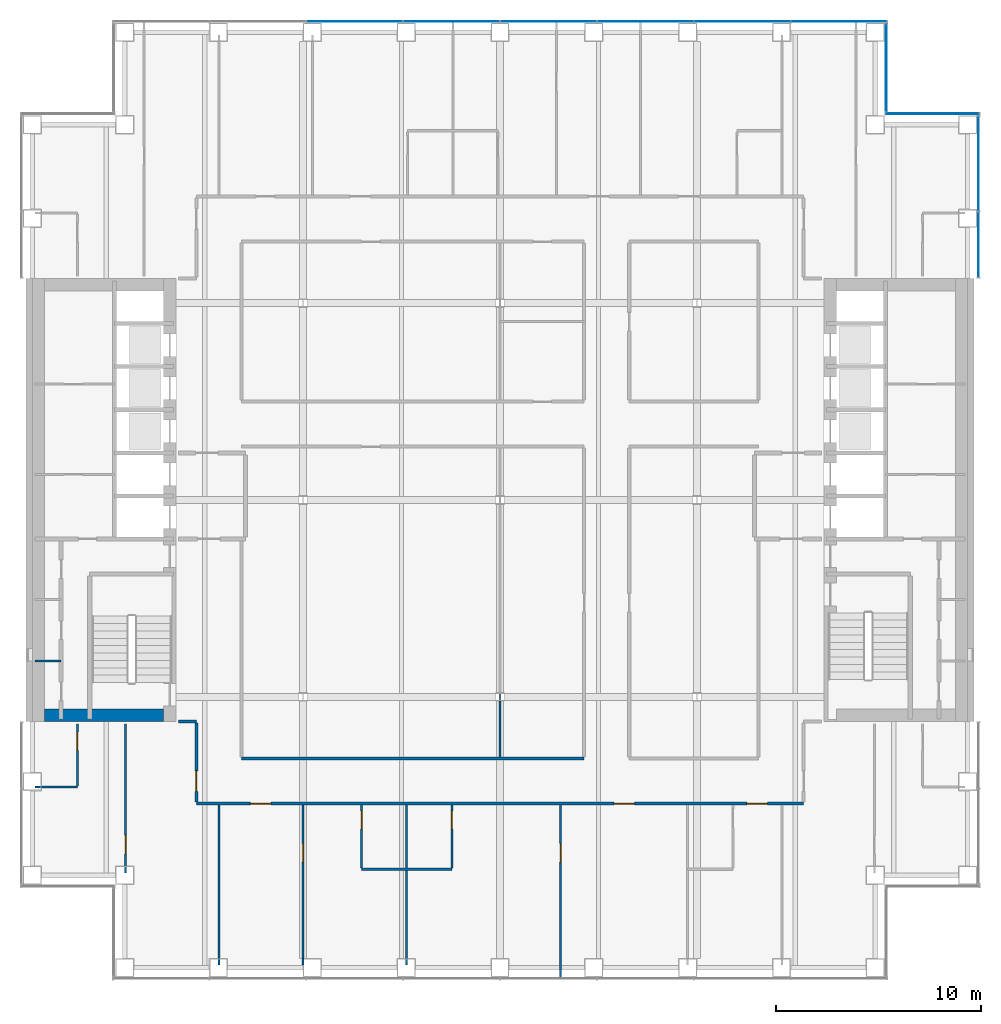
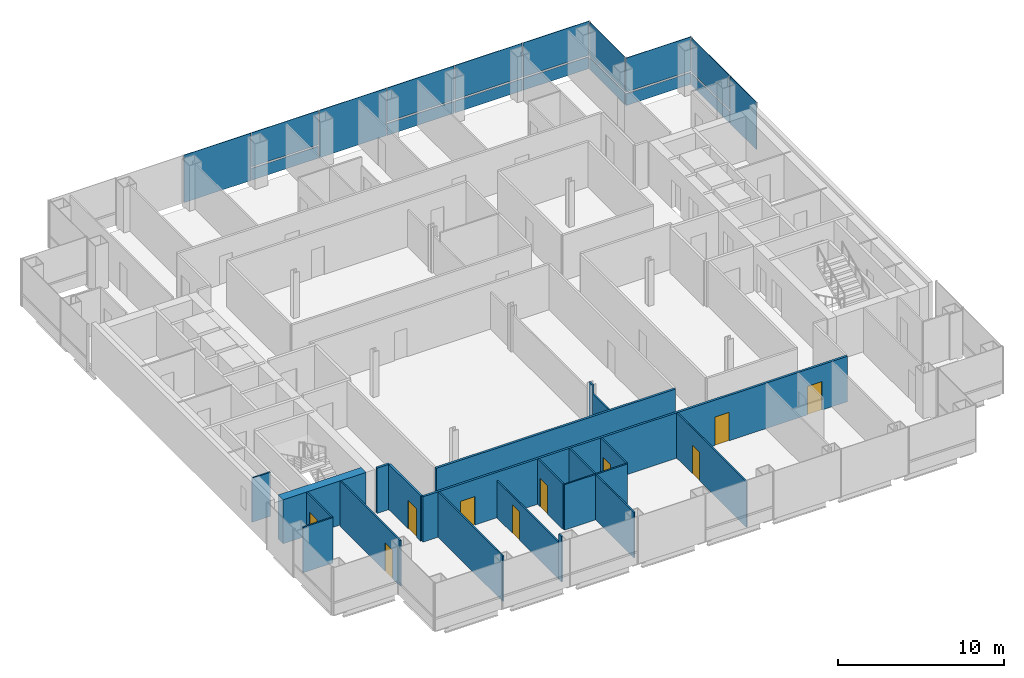
# One storey, part 10 of 16: 20 walls, 17 plates, 10 doors, 10 openings, 4 elements without a shape of their own.
"""IFC4 building model written with IfcOpenShell, lengths in metres."""

from ifc_helpers import new_model, si_unit, direction, frame, frame_2d, origin, origin_2d, place, context, subcontext, project, spatial, rectangle, extrude, material, layer, layer_set, type_object, element, fill, aggregate, save


model = new_model("IFC4")

# Units and contexts
model_context = context("Model", 3, precision=1e-05, world=origin(), true_north=direction((0.0, 1.0)))
body_context = subcontext(model_context, "Body", "Model", "MODEL_VIEW")
ifc_project = project(units=[si_unit("LENGTHUNIT", "METRE"), si_unit("AREAUNIT", "SQUARE_METRE"), si_unit("VOLUMEUNIT", "CUBIC_METRE"), si_unit("PLANEANGLEUNIT", "RADIAN"), si_unit("MASSUNIT", "GRAM", prefix="KILO")], contexts=[model_context])

# Site, building, storey
site_placement = place(None, origin())
site = spatial("IfcSite", under=ifc_project, at=site_placement, CompositionType="ELEMENT")
building_placement = place(site_placement, origin())
building = spatial("IfcBuilding", under=site, at=building_placement, Name="Cobrizo Arcos Hotel Tower", CompositionType="ELEMENT")
storey_placement = place(building_placement, frame((0.0, 0.0, 113.5)))
storey = spatial("IfcBuildingStorey", under=building, at=storey_placement, Name="L28", CompositionType="ELEMENT", Elevation=113.5)

# Curtain wall, plate
ifc_material_1 = material(Name="Aluminium 6063-T6 anodised bronze", Category="aluminium")
curtain_wall_type = type_object("IfcCurtainWallType", Name="CW-A guest facade", PredefinedType="NOTDEFINED", material=ifc_material_1)
curtain_wall_1_placement = place(storey_placement, origin())
curtain_wall_1 = element("IfcCurtainWall", 1, at=curtain_wall_1_placement, inside=storey, type_object=curtain_wall_type, Name="CW-A L28 E face", PredefinedType="NOTDEFINED")
ifc_material_2 = material(Name="Glass clear laminated low-e", Category="glass")
ifc_layer_1 = layer(ifc_material_2, 0.0400390625)
ifc_layer_set_1 = layer_set([ifc_layer_1], Name="CW-A glass panel")
plate_type_1 = type_object("IfcPlateType", Name="CW-A glass panel", PredefinedType="CURTAIN_PANEL", material=ifc_layer_set_1)
plate_1_placement = place(storey_placement, frame((23.324951171875, 16.391357421875, 0.990234375), z_axis=(0.0, 0.0, 1.0), x_axis=(0.0, 1.0, 0.0)))
plate_1 = element("IfcPlate", 2, at=plate_1_placement, type_object=plate_type_1, Name="CW-A glass panel 1088", PredefinedType="CURTAIN_PANEL", context=body_context, shape_type="SweptSolid", body=[
    extrude(rectangle(XDim=4.597412109375, YDim=0.0400390625, at=origin_2d()), origin(), (0.0, 0.0, 1.0), 2.510009765625),
])

curtain_wall_2_placement = place(storey_placement, origin())
curtain_wall_2 = element("IfcCurtainWall", 3, at=curtain_wall_2_placement, inside=storey, type_object=curtain_wall_type, Name="CW-A L28 N face", PredefinedType="NOTDEFINED")
plate_2_placement = place(storey_placement, frame((21.074951171875, 18.824951171875, 0.990234375), z_axis=(0.0, 0.0, 1.0), x_axis=(-1.0, 0.0, 0.0)))
plate_2 = element("IfcPlate", 4, at=plate_2_placement, type_object=plate_type_1, Name="CW-A glass panel 1089", PredefinedType="CURTAIN_PANEL", context=body_context, shape_type="SweptSolid", body=[
    extrude(rectangle(XDim=4.530029296875, YDim=0.0400390625, at=origin_2d()), origin(), (0.0, 0.0, 1.0), 2.510009765625),
])

curtain_wall_3_placement = place(storey_placement, origin())
curtain_wall_3 = element("IfcCurtainWall", 5, at=curtain_wall_3_placement, inside=storey, type_object=curtain_wall_type, Name="CW-A L28 E face", PredefinedType="NOTDEFINED")
plate_3_placement = place(storey_placement, frame((18.824951171875, 21.074951171875, 0.990234375), z_axis=(0.0, 0.0, 1.0), x_axis=(0.0, 1.0, 0.0)))
plate_3 = element("IfcPlate", 6, at=plate_3_placement, type_object=plate_type_1, Name="CW-A glass panel 1090", PredefinedType="CURTAIN_PANEL", context=body_context, shape_type="SweptSolid", body=[
    extrude(rectangle(XDim=4.22998046875, YDim=0.0400390625, at=origin_2d()), origin(), (0.0, 0.0, 1.0), 2.510009765625),
])

# Curtain wall, plates
curtain_wall_4_placement = place(storey_placement, origin())
curtain_wall_4 = element("IfcCurtainWall", 7, at=curtain_wall_4_placement, inside=storey, type_object=curtain_wall_type, Name="CW-A L28 N face", PredefinedType="NOTDEFINED")
plate_4_placement = place(storey_placement, frame((16.5224609375, 23.324951171875, 0.990234375), z_axis=(0.0, 0.0, 1.0), x_axis=(-1.0, 0.0, 0.0)))
plate_4 = element("IfcPlate", 8, at=plate_4_placement, type_object=plate_type_1, Name="CW-A glass panel 1091", PredefinedType="CURTAIN_PANEL", context=body_context, shape_type="SweptSolid", body=[
    extrude(rectangle(XDim=4.635009765625, YDim=0.0400390625, at=origin_2d()), origin(), (0.0, 0.0, 1.0), 2.510009765625),
])
plate_5_placement = place(storey_placement, frame((11.8125, 23.324951171875, 0.990234375), z_axis=(0.0, 0.0, 1.0), x_axis=(-1.0, 0.0, 0.0)))
plate_5 = element("IfcPlate", 9, at=plate_5_placement, type_object=plate_type_1, Name="CW-A glass panel 1092", PredefinedType="CURTAIN_PANEL", context=body_context, shape_type="SweptSolid", body=[
    extrude(rectangle(XDim=4.6650390625, YDim=0.0400390625, at=origin_2d()), origin(), (0.0, 0.0, 1.0), 2.510009765625),
])
plate_6_placement = place(storey_placement, frame((7.08740234375, 23.324951171875, 0.990234375), z_axis=(0.0, 0.0, 1.0), x_axis=(-1.0, 0.0, 0.0)))
plate_6 = element("IfcPlate", 10, at=plate_6_placement, type_object=plate_type_1, Name="CW-A glass panel 1093", PredefinedType="CURTAIN_PANEL", context=body_context, shape_type="SweptSolid", body=[
    extrude(rectangle(XDim=4.6650390625, YDim=0.0400390625, at=origin_2d()), origin(), (0.0, 0.0, 1.0), 2.510009765625),
])
plate_7_placement = place(storey_placement, frame((-2.362548828125, 23.324951171875, 0.990234375), z_axis=(0.0, 0.0, 1.0), x_axis=(-1.0, 0.0, 0.0)))
plate_7 = element("IfcPlate", 11, at=plate_7_placement, type_object=plate_type_1, Name="CW-A glass panel 1095", PredefinedType="CURTAIN_PANEL", context=body_context, shape_type="SweptSolid", body=[
    extrude(rectangle(XDim=4.6650390625, YDim=0.0400390625, at=origin_2d()), origin(), (0.0, 0.0, 1.0), 2.510009765625),
])

# Plate
ifc_material_3 = material(Name="Aluminium composite panel pale metal", Category="aluminium")
ifc_layer_2 = layer(ifc_material_3, 0.0400390625)
ifc_layer_set_2 = layer_set([ifc_layer_2], Name="CW-A spandrel panel")
plate_type_2 = type_object("IfcPlateType", Name="CW-A spandrel panel", PredefinedType="CURTAIN_PANEL", material=ifc_layer_set_2)
plate_8_placement = place(storey_placement, frame((23.324951171875, 12.4462890625, 0.0), z_axis=(0.0, 0.0, 1.0), x_axis=(0.0, 1.0, 0.0)))
plate_8 = element("IfcPlate", 12, at=plate_8_placement, type_object=plate_type_2, Name="CW-A spandrel panel 1087", PredefinedType="CURTAIN_PANEL", context=body_context, shape_type="SweptSolid", body=[
    extrude(rectangle(XDim=3.172607421875, YDim=0.0400390625, at=origin_2d()), origin(), (0.0, 0.0, 1.0), 3.5),
])

plate_9_placement = place(storey_placement, frame((23.324951171875, 16.391357421875, 0.0), z_axis=(0.0, 0.0, 1.0), x_axis=(0.0, 1.0, 0.0)))
plate_9 = element("IfcPlate", 13, at=plate_9_placement, type_object=plate_type_2, Name="CW-A spandrel panel 1088", PredefinedType="CURTAIN_PANEL", context=body_context, shape_type="SweptSolid", body=[
    extrude(rectangle(XDim=4.597412109375, YDim=0.0400390625, at=origin_2d()), origin(), (0.0, 0.0, 1.0), 0.8701171875),
])

aggregate(curtain_wall_1, [plate_8, plate_9, plate_1])

plate_10_placement = place(storey_placement, frame((21.074951171875, 18.824951171875, 0.0), z_axis=(0.0, 0.0, 1.0), x_axis=(-1.0, 0.0, 0.0)))
plate_10 = element("IfcPlate", 14, at=plate_10_placement, type_object=plate_type_2, Name="CW-A spandrel panel 1089", PredefinedType="CURTAIN_PANEL", context=body_context, shape_type="SweptSolid", body=[
    extrude(rectangle(XDim=4.530029296875, YDim=0.0400390625, at=origin_2d()), origin(), (0.0, 0.0, 1.0), 0.8701171875),
])

aggregate(curtain_wall_2, [plate_10, plate_2])

plate_11_placement = place(storey_placement, frame((18.824951171875, 21.074951171875, 0.0), z_axis=(0.0, 0.0, 1.0), x_axis=(0.0, 1.0, 0.0)))
plate_11 = element("IfcPlate", 15, at=plate_11_placement, type_object=plate_type_2, Name="CW-A spandrel panel 1090", PredefinedType="CURTAIN_PANEL", context=body_context, shape_type="SweptSolid", body=[
    extrude(rectangle(XDim=4.22998046875, YDim=0.0400390625, at=origin_2d()), origin(), (0.0, 0.0, 1.0), 0.8701171875),
])

aggregate(curtain_wall_3, [plate_11, plate_3])

plate_12_placement = place(storey_placement, frame((16.5224609375, 23.324951171875, 0.0), z_axis=(0.0, 0.0, 1.0), x_axis=(-1.0, 0.0, 0.0)))
plate_12 = element("IfcPlate", 16, at=plate_12_placement, type_object=plate_type_2, Name="CW-A spandrel panel 1091", PredefinedType="CURTAIN_PANEL", context=body_context, shape_type="SweptSolid", body=[
    extrude(rectangle(XDim=4.635009765625, YDim=0.0400390625, at=origin_2d()), origin(), (0.0, 0.0, 1.0), 0.8701171875),
])

plate_13_placement = place(storey_placement, frame((11.8125, 23.324951171875, 0.0), z_axis=(0.0, 0.0, 1.0), x_axis=(-1.0, 0.0, 0.0)))
plate_13 = element("IfcPlate", 17, at=plate_13_placement, type_object=plate_type_2, Name="CW-A spandrel panel 1092", PredefinedType="CURTAIN_PANEL", context=body_context, shape_type="SweptSolid", body=[
    extrude(rectangle(XDim=4.6650390625, YDim=0.0400390625, at=origin_2d()), origin(), (0.0, 0.0, 1.0), 0.8701171875),
])

plate_14_placement = place(storey_placement, frame((7.08740234375, 23.324951171875, 0.0), z_axis=(0.0, 0.0, 1.0), x_axis=(-1.0, 0.0, 0.0)))
plate_14 = element("IfcPlate", 18, at=plate_14_placement, type_object=plate_type_2, Name="CW-A spandrel panel 1093", PredefinedType="CURTAIN_PANEL", context=body_context, shape_type="SweptSolid", body=[
    extrude(rectangle(XDim=4.6650390625, YDim=0.0400390625, at=origin_2d()), origin(), (0.0, 0.0, 1.0), 0.8701171875),
])

plate_15_placement = place(storey_placement, frame((2.362548828125, 23.324951171875, 0.0), z_axis=(0.0, 0.0, 1.0), x_axis=(-1.0, 0.0, 0.0)))
plate_15 = element("IfcPlate", 19, at=plate_15_placement, type_object=plate_type_2, Name="CW-A spandrel panel 1094", PredefinedType="CURTAIN_PANEL", context=body_context, shape_type="SweptSolid", body=[
    extrude(rectangle(XDim=4.6650390625, YDim=0.0400390625, at=origin_2d()), origin(), (0.0, 0.0, 1.0), 3.5),
])

plate_16_placement = place(storey_placement, frame((-2.362548828125, 23.324951171875, 0.0), z_axis=(0.0, 0.0, 1.0), x_axis=(-1.0, 0.0, 0.0)))
plate_16 = element("IfcPlate", 20, at=plate_16_placement, type_object=plate_type_2, Name="CW-A spandrel panel 1095", PredefinedType="CURTAIN_PANEL", context=body_context, shape_type="SweptSolid", body=[
    extrude(rectangle(XDim=4.6650390625, YDim=0.0400390625, at=origin_2d()), origin(), (0.0, 0.0, 1.0), 0.8701171875),
])

plate_17_placement = place(storey_placement, frame((-7.08740234375, 23.324951171875, 0.0), z_axis=(0.0, 0.0, 1.0), x_axis=(-1.0, 0.0, 0.0)))
plate_17 = element("IfcPlate", 21, at=plate_17_placement, type_object=plate_type_2, Name="CW-A spandrel panel 1096", PredefinedType="CURTAIN_PANEL", context=body_context, shape_type="SweptSolid", body=[
    extrude(rectangle(XDim=4.6650390625, YDim=0.0400390625, at=origin_2d()), origin(), (0.0, 0.0, 1.0), 3.5),
])

aggregate(curtain_wall_4, [plate_12, plate_4, plate_13, plate_5, plate_14, plate_6, plate_15, plate_16, plate_7, plate_17])

# Wall, openings, doors
ifc_material_4 = material(Name="Gypsum board partition")
ifc_layer_3 = layer(ifc_material_4, 0.14990234375)
ifc_layer_set_3 = layer_set([ifc_layer_3], Name="Corridor wall EI 60 150")
wall_type_1 = type_object("IfcWallType", Name="Corridor wall EI 60 150", PredefinedType="PARTITIONING", material=ifc_layer_set_3)
wall_1_placement = place(storey_placement, frame((-14.800048828125, -14.800048828125, 0.0), z_axis=(0.0, 0.0, 1.0), x_axis=(1.0, 0.0, 0.0)))
wall_1 = element("IfcWall", 22, at=wall_1_placement, inside=storey, type_object=wall_type_1, Name="Partition 003", PredefinedType="PARTITIONING", context=body_context, shape_type="SweptSolid", body=[
    extrude(rectangle(XDim=29.60009765625, YDim=0.14990234375, at=frame_2d((14.800048828125, 0.0))), origin(), (0.0, 0.0, 1.0), 3.35009765625),
])
opening_1_placement = place(wall_1_placement, frame((2.634033203125, 0.0, 0.0)))
opening_1 = element("IfcOpeningElement", 23, at=opening_1_placement, cuts=wall_1, Name="Opening GD-04", PredefinedType="OPENING", context=body_context, shape_type="SweptSolid", body=[
    extrude(rectangle(XDim=1.0, YDim=2.10009765625, at=frame_2d((0.5, 1.050048828125))), frame((0.0, 0.0869140625, 0.0), z_axis=(0.0, -1.0, 0.0), x_axis=(1.0, 0.0, 0.0)), (0.0, 0.0, 1.0), 0.173828125),
])
opening_2_placement = place(wall_1_placement, frame((20.362060546875, 0.0, 0.0)))
opening_2 = element("IfcOpeningElement", 24, at=opening_2_placement, cuts=wall_1, Name="Opening GD-05", PredefinedType="OPENING", context=body_context, shape_type="SweptSolid", body=[
    extrude(rectangle(XDim=1.0, YDim=2.10009765625, at=frame_2d((0.5, 1.050048828125))), frame((0.0, 0.0869140625, 0.0), z_axis=(0.0, -1.0, 0.0), x_axis=(1.0, 0.0, 0.0)), (0.0, 0.0, 1.0), 0.173828125),
])
opening_3_placement = place(wall_1_placement, frame((26.8369140625, 0.0, 0.0)))
opening_3 = element("IfcOpeningElement", 25, at=opening_3_placement, cuts=wall_1, Name="Opening GD-06", PredefinedType="OPENING", context=body_context, shape_type="SweptSolid", body=[
    extrude(rectangle(XDim=1.0, YDim=2.10009765625, at=frame_2d((0.5, 1.050048828125))), frame((0.0, 0.0869140625, 0.0), z_axis=(0.0, -1.0, 0.0), x_axis=(1.0, 0.0, 0.0)), (0.0, 0.0, 1.0), 0.173828125),
])
ifc_material_5 = material(Name="Timber door leaf", Category="wood")
door_type_1 = type_object("IfcDoorType", Name="Guest room door FD30S 1000x2100", OperationType="SINGLE_SWING_LEFT", PredefinedType="DOOR", material=ifc_material_5)
door_1_placement = place(opening_1_placement, origin())
door_1 = element("IfcDoor", 26, at=door_1_placement, inside=storey, type_object=door_type_1, Name="Door GD-04", OperationType="SINGLE_SWING_RIGHT", OverallHeight=2.10009765625, OverallWidth=1.0, PredefinedType="DOOR", context=body_context, shape_type="SweptSolid", body=[
    extrude(rectangle(XDim=1.0, YDim=2.10009765625, at=frame_2d((0.5, 1.050048828125))), frame((0.0, 0.02490234375, 0.0), z_axis=(0.0, -1.0, 0.0), x_axis=(1.0, 0.0, 0.0)), (0.0, 0.0, 1.0), 0.050048828125),
])
fill(opening_1, door_1)
door_2_placement = place(opening_2_placement, origin())
door_2 = element("IfcDoor", 27, at=door_2_placement, inside=storey, type_object=door_type_1, Name="Door GD-05", OperationType="SINGLE_SWING_LEFT", OverallHeight=2.10009765625, OverallWidth=1.0, PredefinedType="DOOR", context=body_context, shape_type="SweptSolid", body=[
    extrude(rectangle(XDim=1.0, YDim=2.10009765625, at=frame_2d((0.5, 1.050048828125))), frame((0.0, 0.02490234375, 0.0), z_axis=(0.0, -1.0, 0.0), x_axis=(1.0, 0.0, 0.0)), (0.0, 0.0, 1.0), 0.050048828125),
])
fill(opening_2, door_2)
door_3_placement = place(opening_3_placement, origin())
door_3 = element("IfcDoor", 28, at=door_3_placement, inside=storey, type_object=door_type_1, Name="Door GD-06", OperationType="SINGLE_SWING_LEFT", OverallHeight=2.10009765625, OverallWidth=1.0, PredefinedType="DOOR", context=body_context, shape_type="SweptSolid", body=[
    extrude(rectangle(XDim=1.0, YDim=2.10009765625, at=frame_2d((0.5, 1.050048828125))), frame((0.0, 0.02490234375, 0.0), z_axis=(0.0, -1.0, 0.0), x_axis=(1.0, 0.0, 0.0)), (0.0, 0.0, 1.0), 0.050048828125),
])
fill(opening_3, door_3)

# Walls
wall_2_placement = place(storey_placement, frame((-12.60009765625, -12.60009765625, 0.0), z_axis=(0.0, 0.0, 1.0), x_axis=(1.0, 0.0, 0.0)))
element("IfcWall", 29, at=wall_2_placement, inside=storey, type_object=wall_type_1, Name="Partition 006", PredefinedType="PARTITIONING", context=body_context, shape_type="SweptSolid", body=[
    extrude(rectangle(XDim=16.7001953125, YDim=0.14990234375, at=frame_2d((8.35009765625, 0.0))), origin(), (0.0, 0.0, 1.0), 3.35009765625),
])
wall_3_placement = place(storey_placement, frame((-15.679931640625, -10.800048828125, 0.0), z_axis=(0.0, 0.0, 1.0), x_axis=(1.0, 0.0, 0.0)))
element("IfcWall", 30, at=wall_3_placement, inside=storey, type_object=wall_type_1, Name="Partition 008", PredefinedType="PARTITIONING", context=body_context, shape_type="SweptSolid", body=[
    extrude(rectangle(XDim=0.8798828125, YDim=0.14990234375, at=frame_2d((0.43994140625, 0.0))), origin(), (0.0, 0.0, 1.0), 3.35009765625),
])

# Wall, opening, door
wall_4_placement = place(storey_placement, frame((-14.800048828125, -14.72509765625, 0.0), z_axis=(0.0, 0.0, 1.0), x_axis=(0.0, 1.0, 0.0)))
wall_4 = element("IfcWall", 31, at=wall_4_placement, inside=storey, type_object=wall_type_1, Name="Partition 057", PredefinedType="PARTITIONING", context=body_context, shape_type="SweptSolid", body=[
    extrude(rectangle(XDim=3.85009765625, YDim=0.14990234375, at=frame_2d((1.925048828125, 0.0))), origin(), (0.0, 0.0, 1.0), 3.35009765625),
])
opening_4_placement = place(wall_4_placement, frame((0.52490234375, 0.0, 0.0)))
opening_4 = element("IfcOpeningElement", 32, at=opening_4_placement, cuts=wall_4, Name="Opening GD-07", PredefinedType="OPENING", context=body_context, shape_type="SweptSolid", body=[
    extrude(rectangle(XDim=1.0, YDim=2.10009765625, at=frame_2d((0.5, 1.050048828125))), frame((0.0, 0.0869140625, 0.0), z_axis=(0.0, -1.0, 0.0), x_axis=(1.0, 0.0, 0.0)), (0.0, 0.0, 1.0), 0.173828125),
])
door_4_placement = place(opening_4_placement, origin())
door_4 = element("IfcDoor", 33, at=door_4_placement, inside=storey, type_object=door_type_1, Name="Door GD-07", OperationType="SINGLE_SWING_RIGHT", OverallHeight=2.10009765625, OverallWidth=1.0, PredefinedType="DOOR", context=body_context, shape_type="SweptSolid", body=[
    extrude(rectangle(XDim=1.0, YDim=2.10009765625, at=frame_2d((0.5, 1.050048828125))), frame((0.0, 0.02490234375, 0.0), z_axis=(0.0, -1.0, 0.0), x_axis=(1.0, 0.0, 0.0)), (0.0, 0.0, 1.0), 0.050048828125),
])
fill(opening_4, door_4)

# Walls
ifc_layer_4 = layer(ifc_material_4, 0.10009765625)
ifc_layer_set_4 = layer_set([ifc_layer_4], Name="Partition EI 30 100")
wall_type_2 = type_object("IfcWallType", Name="Partition EI 30 100", PredefinedType="PARTITIONING", material=ifc_layer_set_4)
wall_5_placement = place(storey_placement, frame((-6.75, -18.0, 0.0), z_axis=(0.0, 0.0, 1.0), x_axis=(1.0, 0.0, 0.0)))
element("IfcWall", 34, at=wall_5_placement, inside=storey, type_object=wall_type_2, Name="Partition 001", PredefinedType="PARTITIONING", context=body_context, shape_type="SweptSolid", body=[
    extrude(rectangle(XDim=4.39990234375, YDim=0.10009765625, at=frame_2d((2.199951171875, 0.0))), origin(), (0.0, 0.0, 1.0), 3.35009765625),
])
wall_6_placement = place(storey_placement, frame((-22.679931640625, -14.0, 0.0), z_axis=(0.0, 0.0, 1.0), x_axis=(1.0, 0.0, 0.0)))
element("IfcWall", 35, at=wall_6_placement, inside=storey, type_object=wall_type_2, Name="Partition 004", PredefinedType="PARTITIONING", context=body_context, shape_type="SweptSolid", body=[
    extrude(rectangle(XDim=2.079833984375, YDim=0.10009765625, at=frame_2d((1.0400390625, 0.0))), origin(), (0.0, 0.0, 1.0), 3.35009765625),
])
wall_7_placement = place(storey_placement, frame((-22.679931640625, -7.85009765625, 0.0), z_axis=(0.0, 0.0, 1.0), x_axis=(1.0, 0.0, 0.0)))
element("IfcWall", 36, at=wall_7_placement, inside=storey, type_object=wall_type_2, Name="Partition 010", PredefinedType="PARTITIONING", context=body_context, shape_type="SweptSolid", body=[
    extrude(rectangle(XDim=1.280029296875, YDim=0.10009765625, at=frame_2d((0.64013671875, 0.0))), origin(), (0.0, 0.0, 1.0), 3.25),
])

# Wall, opening, door
wall_8_placement = place(storey_placement, frame((-20.60009765625, -13.949951171875, 0.0), z_axis=(0.0, 0.0, 1.0), x_axis=(0.0, 1.0, 0.0)))
wall_8 = element("IfcWall", 37, at=wall_8_placement, inside=storey, type_object=wall_type_2, Name="Partition 051", PredefinedType="PARTITIONING", context=body_context, shape_type="SweptSolid", body=[
    extrude(rectangle(XDim=3.030029296875, YDim=0.10009765625, at=frame_2d((1.51513671875, 0.0))), origin(), (0.0, 0.0, 1.0), 3.35009765625),
])
opening_5_placement = place(wall_8_placement, frame((1.739990234375, 0.0, 0.0)))
opening_5 = element("IfcOpeningElement", 38, at=opening_5_placement, cuts=wall_8, Name="Opening ED-09", PredefinedType="OPENING", context=body_context, shape_type="SweptSolid", body=[
    extrude(rectangle(XDim=0.89990234375, YDim=2.10009765625, at=frame_2d((0.449951171875, 1.050048828125))), frame((0.0, 0.06201171875, 0.0), z_axis=(0.0, -1.0, 0.0), x_axis=(1.0, 0.0, 0.0)), (0.0, 0.0, 1.0), 0.1240234375),
])
door_type_2 = type_object("IfcDoorType", Name="En-suite door 900x2100", OperationType="SINGLE_SWING_LEFT", PredefinedType="DOOR", material=ifc_material_5)
door_5_placement = place(opening_5_placement, origin())
door_5 = element("IfcDoor", 39, at=door_5_placement, inside=storey, type_object=door_type_2, Name="Door ED-09", OperationType="SINGLE_SWING_RIGHT", OverallHeight=2.10009765625, OverallWidth=0.89990234375, PredefinedType="DOOR", context=body_context, shape_type="SweptSolid", body=[
    extrude(rectangle(XDim=0.89990234375, YDim=2.10009765625, at=frame_2d((0.449951171875, 1.050048828125))), frame((0.0, 0.02490234375, 0.0), z_axis=(0.0, -1.0, 0.0), x_axis=(1.0, 0.0, 0.0)), (0.0, 0.0, 1.0), 0.050048828125),
])
fill(opening_5, door_5)

wall_9_placement = place(storey_placement, frame((-18.25, -18.19091796875, 0.0), z_axis=(0.0, 0.0, 1.0), x_axis=(0.0, 1.0, 0.0)))
wall_9 = element("IfcWall", 40, at=wall_9_placement, inside=storey, type_object=wall_type_2, Name="Partition 055", PredefinedType="PARTITIONING", context=body_context, shape_type="SweptSolid", body=[
    extrude(rectangle(XDim=7.27099609375, YDim=0.10009765625, at=frame_2d((3.635498046875, 0.0))), origin(), (0.0, 0.0, 1.0), 3.35009765625),
])
opening_6_placement = place(wall_9_placement, frame((0.94091796875, 0.0, 0.0)))
opening_6 = element("IfcOpeningElement", 41, at=opening_6_placement, cuts=wall_9, Name="Opening RD-15", PredefinedType="OPENING", context=body_context, shape_type="SweptSolid", body=[
    extrude(rectangle(XDim=0.89990234375, YDim=2.10009765625, at=frame_2d((0.449951171875, 1.050048828125))), frame((0.0, 0.06201171875, 0.0), z_axis=(0.0, -1.0, 0.0), x_axis=(1.0, 0.0, 0.0)), (0.0, 0.0, 1.0), 0.1240234375),
])
door_type_3 = type_object("IfcDoorType", Name="Room door FD30 900x2100", OperationType="SINGLE_SWING_LEFT", PredefinedType="DOOR", material=ifc_material_5)
door_6_placement = place(opening_6_placement, origin())
door_6 = element("IfcDoor", 42, at=door_6_placement, inside=storey, type_object=door_type_3, Name="Door RD-15", OperationType="SINGLE_SWING_RIGHT", OverallHeight=2.10009765625, OverallWidth=0.89990234375, PredefinedType="DOOR", context=body_context, shape_type="SweptSolid", body=[
    extrude(rectangle(XDim=0.89990234375, YDim=2.10009765625, at=frame_2d((0.449951171875, 1.050048828125))), frame((0.0, 0.02490234375, 0.0), z_axis=(0.0, -1.0, 0.0), x_axis=(1.0, 0.0, 0.0)), (0.0, 0.0, 1.0), 0.050048828125),
])
fill(opening_6, door_6)

# Walls
wall_10_placement = place(storey_placement, frame((-13.699951171875, -22.679931640625, 0.0), z_axis=(0.0, 0.0, 1.0), x_axis=(0.0, 1.0, 0.0)))
element("IfcWall", 43, at=wall_10_placement, inside=storey, type_object=wall_type_2, Name="Partition 059", PredefinedType="PARTITIONING", context=body_context, shape_type="SweptSolid", body=[
    extrude(rectangle(XDim=7.804931640625, YDim=0.10009765625, at=frame_2d((3.90234375, 0.0))), origin(), (0.0, 0.0, 1.0), 3.35009765625),
])
wall_11_placement = place(storey_placement, frame((-9.60009765625, -22.679931640625, 0.0), z_axis=(0.0, 0.0, 1.0), x_axis=(0.0, 1.0, 0.0)))
element("IfcWall", 44, at=wall_11_placement, inside=storey, type_object=wall_type_2, Name="Partition 064", PredefinedType="PARTITIONING", context=body_context, shape_type="SweptSolid", body=[
    extrude(rectangle(XDim=0.329833984375, YDim=0.10009765625, at=frame_2d((0.1650390625, 0.0))), origin(), (0.0, 0.0, 1.0), 3.35009765625),
])

# Wall, opening, door
wall_12_placement = place(storey_placement, frame((-9.60009765625, -22.35009765625, 0.0), z_axis=(0.0, 0.0, 1.0), x_axis=(0.0, 1.0, 0.0)))
wall_12 = element("IfcWall", 45, at=wall_12_placement, inside=storey, type_object=wall_type_2, Name="Partition 065", PredefinedType="PARTITIONING", context=body_context, shape_type="SweptSolid", body=[
    extrude(rectangle(XDim=7.47509765625, YDim=0.10009765625, at=frame_2d((3.737548828125, 0.0))), origin(), (0.0, 0.0, 1.0), 2.72802734375),
])
opening_7_placement = place(wall_12_placement, frame((4.699951171875, 0.0, 0.0)))
opening_7 = element("IfcOpeningElement", 46, at=opening_7_placement, cuts=wall_12, Name="Opening RD-13", PredefinedType="OPENING", context=body_context, shape_type="SweptSolid", body=[
    extrude(rectangle(XDim=0.89990234375, YDim=2.10009765625, at=frame_2d((0.449951171875, 1.050048828125))), frame((0.0, 0.06201171875, 0.0), z_axis=(0.0, -1.0, 0.0), x_axis=(1.0, 0.0, 0.0)), (0.0, 0.0, 1.0), 0.1240234375),
])
door_7_placement = place(opening_7_placement, origin())
door_7 = element("IfcDoor", 47, at=door_7_placement, inside=storey, type_object=door_type_3, Name="Door RD-13", OperationType="SINGLE_SWING_RIGHT", OverallHeight=2.10009765625, OverallWidth=0.89990234375, PredefinedType="DOOR", context=body_context, shape_type="SweptSolid", body=[
    extrude(rectangle(XDim=0.89990234375, YDim=2.10009765625, at=frame_2d((0.449951171875, 1.050048828125))), frame((0.0, 0.02490234375, 0.0), z_axis=(0.0, -1.0, 0.0), x_axis=(1.0, 0.0, 0.0)), (0.0, 0.0, 1.0), 0.050048828125),
])
fill(opening_7, door_7)

wall_13_placement = place(storey_placement, frame((-6.75, -17.949951171875, 0.0), z_axis=(0.0, 0.0, 1.0), x_axis=(0.0, 1.0, 0.0)))
wall_13 = element("IfcWall", 48, at=wall_13_placement, inside=storey, type_object=wall_type_2, Name="Partition 067", PredefinedType="PARTITIONING", context=body_context, shape_type="SweptSolid", body=[
    extrude(rectangle(XDim=3.074951171875, YDim=0.10009765625, at=frame_2d((1.53759765625, 0.0))), origin(), (0.0, 0.0, 1.0), 3.35009765625),
])
opening_8_placement = place(wall_13_placement, frame((1.89990234375, 0.0, 0.0)))
opening_8 = element("IfcOpeningElement", 49, at=opening_8_placement, cuts=wall_13, Name="Opening ED-06", PredefinedType="OPENING", context=body_context, shape_type="SweptSolid", body=[
    extrude(rectangle(XDim=0.89990234375, YDim=2.10009765625, at=frame_2d((0.449951171875, 1.050048828125))), frame((0.0, 0.06201171875, 0.0), z_axis=(0.0, -1.0, 0.0), x_axis=(1.0, 0.0, 0.0)), (0.0, 0.0, 1.0), 0.1240234375),
])
door_8_placement = place(opening_8_placement, origin())
door_8 = element("IfcDoor", 50, at=door_8_placement, inside=storey, type_object=door_type_2, Name="Door ED-06", OperationType="SINGLE_SWING_RIGHT", OverallHeight=2.10009765625, OverallWidth=0.89990234375, PredefinedType="DOOR", context=body_context, shape_type="SweptSolid", body=[
    extrude(rectangle(XDim=0.89990234375, YDim=2.10009765625, at=frame_2d((0.449951171875, 1.050048828125))), frame((0.0, 0.02490234375, 0.0), z_axis=(0.0, -1.0, 0.0), x_axis=(1.0, 0.0, 0.0)), (0.0, 0.0, 1.0), 0.050048828125),
])
fill(opening_8, door_8)

# Walls
wall_14_placement = place(storey_placement, frame((-4.550048828125, -22.679931640625, 0.0), z_axis=(0.0, 0.0, 1.0), x_axis=(0.0, 1.0, 0.0)))
element("IfcWall", 51, at=wall_14_placement, inside=storey, type_object=wall_type_2, Name="Partition 068", PredefinedType="PARTITIONING", context=body_context, shape_type="SweptSolid", body=[
    extrude(rectangle(XDim=4.6298828125, YDim=0.10009765625, at=frame_2d((2.31494140625, 0.0))), origin(), (0.0, 0.0, 1.0), 3.35009765625),
])
wall_15_placement = place(storey_placement, frame((-4.550048828125, -17.949951171875, 0.0), z_axis=(0.0, 0.0, 1.0), x_axis=(0.0, 1.0, 0.0)))
element("IfcWall", 52, at=wall_15_placement, inside=storey, type_object=wall_type_2, Name="Partition 069", PredefinedType="PARTITIONING", context=body_context, shape_type="SweptSolid", body=[
    extrude(rectangle(XDim=3.074951171875, YDim=0.10009765625, at=frame_2d((1.53759765625, 0.0))), origin(), (0.0, 0.0, 1.0), 3.35009765625),
])

# Wall, opening, door
wall_16_placement = place(storey_placement, frame((-2.35009765625, -17.949951171875, 0.0), z_axis=(0.0, 0.0, 1.0), x_axis=(0.0, 1.0, 0.0)))
wall_16 = element("IfcWall", 53, at=wall_16_placement, inside=storey, type_object=wall_type_2, Name="Partition 071", PredefinedType="PARTITIONING", context=body_context, shape_type="SweptSolid", body=[
    extrude(rectangle(XDim=3.074951171875, YDim=0.10009765625, at=frame_2d((1.53759765625, 0.0))), origin(), (0.0, 0.0, 1.0), 3.35009765625),
])
opening_9_placement = place(wall_16_placement, frame((1.89990234375, 0.0, 0.0)))
opening_9 = element("IfcOpeningElement", 54, at=opening_9_placement, cuts=wall_16, Name="Opening ED-07", PredefinedType="OPENING", context=body_context, shape_type="SweptSolid", body=[
    extrude(rectangle(XDim=0.89990234375, YDim=2.10009765625, at=frame_2d((0.449951171875, 1.050048828125))), frame((0.0, 0.06201171875, 0.0), z_axis=(0.0, -1.0, 0.0), x_axis=(1.0, 0.0, 0.0)), (0.0, 0.0, 1.0), 0.1240234375),
])
door_9_placement = place(opening_9_placement, origin())
door_9 = element("IfcDoor", 55, at=door_9_placement, inside=storey, type_object=door_type_2, Name="Door ED-07", OperationType="SINGLE_SWING_RIGHT", OverallHeight=2.10009765625, OverallWidth=0.89990234375, PredefinedType="DOOR", context=body_context, shape_type="SweptSolid", body=[
    extrude(rectangle(XDim=0.89990234375, YDim=2.10009765625, at=frame_2d((0.449951171875, 1.050048828125))), frame((0.0, 0.02490234375, 0.0), z_axis=(0.0, -1.0, 0.0), x_axis=(1.0, 0.0, 0.0)), (0.0, 0.0, 1.0), 0.050048828125),
])
fill(opening_9, door_9)

# Walls
wall_17_placement = place(storey_placement, frame((0.0, -12.52490234375, 0.0), z_axis=(0.0, 0.0, 1.0), x_axis=(0.0, 1.0, 0.0)))
element("IfcWall", 56, at=wall_17_placement, inside=storey, type_object=wall_type_2, Name="Partition 075", PredefinedType="PARTITIONING", context=body_context, shape_type="SweptSolid", body=[
    extrude(rectangle(XDim=2.725830078125, YDim=0.10009765625, at=frame_2d((1.36279296875, 0.0))), origin(), (0.0, 0.0, 1.0), 2.72802734375),
])
wall_18_placement = place(storey_placement, frame((0.0, -9.799072265625, 0.0), z_axis=(0.0, 0.0, 1.0), x_axis=(0.0, 1.0, 0.0)))
element("IfcWall", 57, at=wall_18_placement, inside=storey, type_object=wall_type_2, Name="Partition 076", PredefinedType="PARTITIONING", context=body_context, shape_type="SweptSolid", body=[
    extrude(rectangle(XDim=0.398193359375, YDim=0.10009765625, at=frame_2d((0.19921875, 0.0))), origin(), (0.0, 0.0, 1.0), 3.35009765625),
])

# Wall, opening, door
wall_19_placement = place(storey_placement, frame((2.949951171875, -23.280029296875, 0.0), z_axis=(0.0, 0.0, 1.0), x_axis=(0.0, 1.0, 0.0)))
wall_19 = element("IfcWall", 58, at=wall_19_placement, inside=storey, type_object=wall_type_2, Name="Partition 084", PredefinedType="PARTITIONING", context=body_context, shape_type="SweptSolid", body=[
    extrude(rectangle(XDim=8.405029296875, YDim=0.10009765625, at=frame_2d((4.20263671875, 0.0))), origin(), (0.0, 0.0, 1.0), 3.35009765625),
])
opening_10_placement = place(wall_19_placement, frame((5.6298828125, 0.0, 0.0)))
opening_10 = element("IfcOpeningElement", 59, at=opening_10_placement, cuts=wall_19, Name="Opening RD-14", PredefinedType="OPENING", context=body_context, shape_type="SweptSolid", body=[
    extrude(rectangle(XDim=0.89990234375, YDim=2.10009765625, at=frame_2d((0.449951171875, 1.050048828125))), frame((0.0, 0.06201171875, 0.0), z_axis=(0.0, -1.0, 0.0), x_axis=(1.0, 0.0, 0.0)), (0.0, 0.0, 1.0), 0.1240234375),
])
door_10_placement = place(opening_10_placement, origin())
door_10 = element("IfcDoor", 60, at=door_10_placement, inside=storey, type_object=door_type_3, Name="Door RD-14", OperationType="SINGLE_SWING_LEFT", OverallHeight=2.10009765625, OverallWidth=0.89990234375, PredefinedType="DOOR", context=body_context, shape_type="SweptSolid", body=[
    extrude(rectangle(XDim=0.89990234375, YDim=2.10009765625, at=frame_2d((0.449951171875, 1.050048828125))), frame((0.0, 0.02490234375, 0.0), z_axis=(0.0, -1.0, 0.0), x_axis=(1.0, 0.0, 0.0)), (0.0, 0.0, 1.0), 0.050048828125),
])
fill(opening_10, door_10)

# Wall
ifc_material_6 = material(Name="Concrete f'c 50 MPa", Category="concrete")
ifc_layer_5 = layer(ifc_material_6, 0.60009765625)
ifc_layer_set_5 = layer_set([ifc_layer_5], Name="RC core wall 600 f'c 50")
wall_type_3 = type_object("IfcWallType", Name="RC core wall 600 f'c 50", PredefinedType="SHEAR", material=ifc_layer_set_5)
wall_20_placement = place(storey_placement, frame((-22.199951171875, -10.5, 0.0), z_axis=(0.0, 0.0, 1.0), x_axis=(1.0, 0.0, 0.0)))
element("IfcWall", 61, at=wall_20_placement, inside=storey, type_object=wall_type_3, Name="Core wall CW2, west core, south end, L28", PredefinedType="SHEAR", context=body_context, shape_type="SweptSolid", body=[
    extrude(rectangle(XDim=5.800048828125, YDim=0.60009765625, at=frame_2d((2.89990234375, 0.0))), origin(), (0.0, 0.0, 1.0), 3.25),
])

save(model, "model.ifc")
